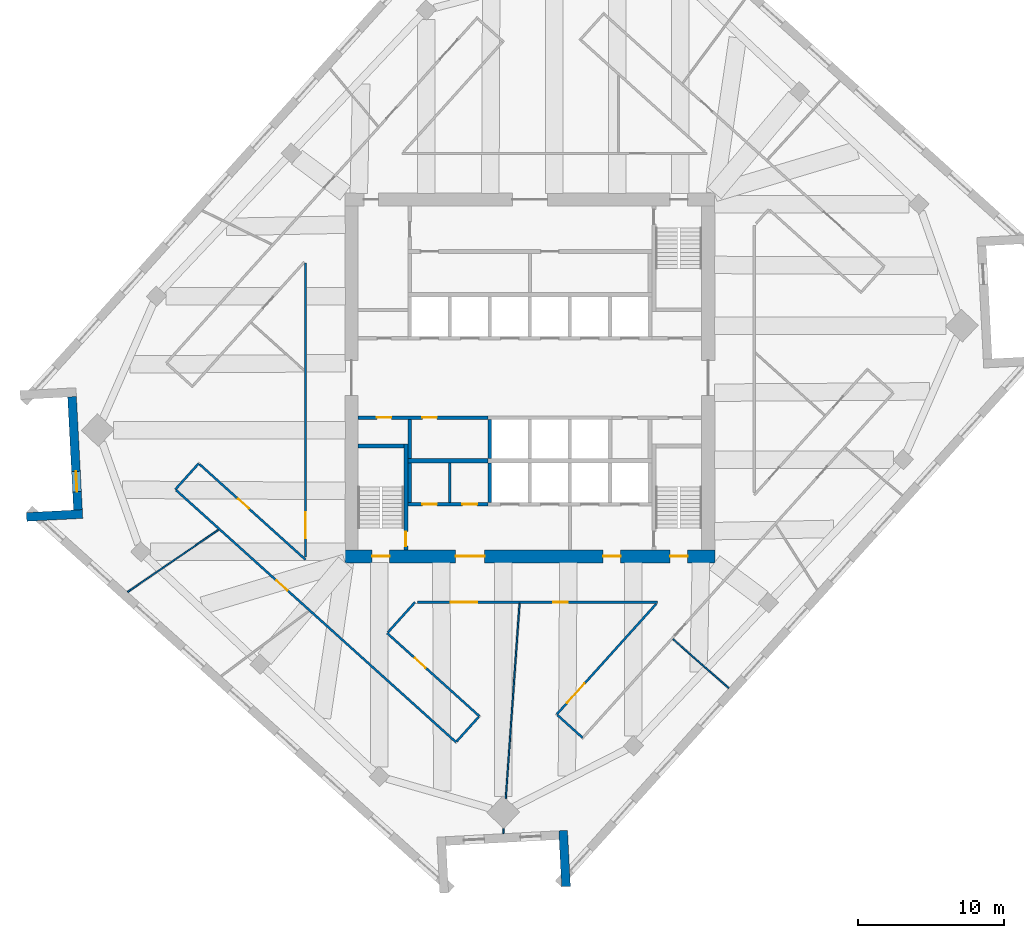
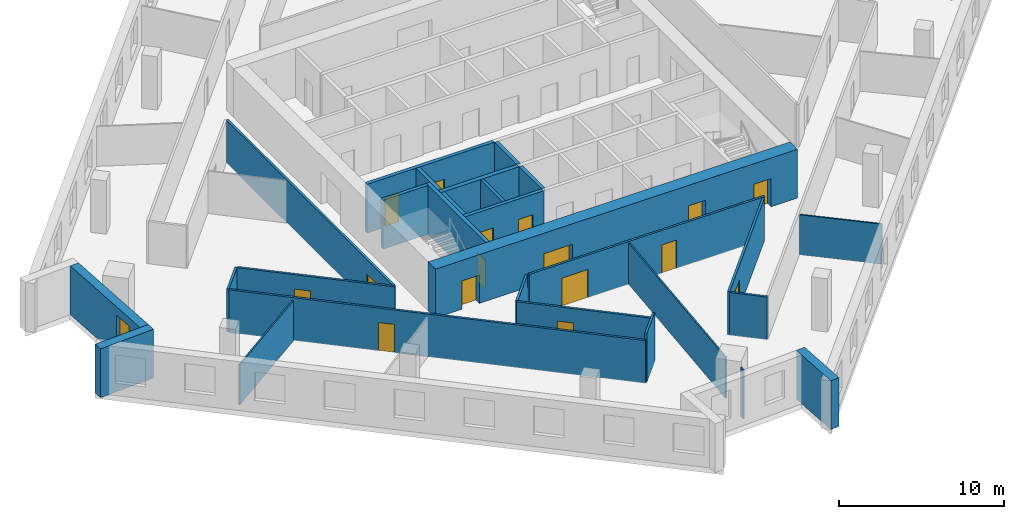
# One storey, part 6 of 12: 28 walls, 16 doors, 1 window, 17 openings.
"""IFC4 building model written with IfcOpenShell, lengths in metres."""

from ifc_helpers import new_model, si_unit, direction, frame, frame_2d, origin, place, context, subcontext, project, spatial, rectangle, extrude, material, layer, layer_set, type_object, element, fill, save


model = new_model("IFC4")

# Units and contexts
model_context = context("Model", 3, precision=1e-05, world=origin(), true_north=direction((0.0, 1.0)))
body_context = subcontext(model_context, "Body", "Model", "MODEL_VIEW")
ifc_project = project(units=[si_unit("LENGTHUNIT", "METRE"), si_unit("AREAUNIT", "SQUARE_METRE"), si_unit("VOLUMEUNIT", "CUBIC_METRE"), si_unit("PLANEANGLEUNIT", "RADIAN"), si_unit("MASSUNIT", "GRAM", prefix="KILO")], contexts=[model_context])

# Site, building, storey
site_placement = place(None, origin())
site = spatial("IfcSite", under=ifc_project, at=site_placement, CompositionType="ELEMENT")
building_placement = place(site_placement, origin())
building = spatial("IfcBuilding", under=site, at=building_placement, Name="Dilmun Exchange Tower", CompositionType="ELEMENT")
storey_placement = place(building_placement, frame((0.0, 0.0, 217.300048828125)))
storey = spatial("IfcBuildingStorey", under=building, at=storey_placement, Name="L51", CompositionType="ELEMENT", Elevation=217.300048828125)

# Wall
ifc_material_1 = material(Name="Concrete C40/50", Category="concrete")
ifc_layer_1 = layer(ifc_material_1, 0.199951171875)
ifc_layer_set_1 = layer_set([ifc_layer_1], Name="Concrete C40/50")
wall_type_1 = type_object("IfcWallType", Name="Core partition wall 200", PredefinedType="PARTITIONING", material=ifc_layer_set_1)
wall_1_placement = place(storey_placement, frame((-5.5, -8.544921875, 0.0), z_axis=(0.0, 0.0, 1.0), x_axis=(0.0, 1.0, 0.0)))
element("IfcWall", 1, at=wall_1_placement, inside=storey, type_object=wall_type_1, Name="L51 core partition wall 04", PredefinedType="PARTITIONING", context=body_context, shape_type="SweptSolid", body=[
    extrude(rectangle(XDim=2.68994140625, YDim=0.199951171875, at=frame_2d((1.344970703125, 0.0))), origin(), (0.0, 0.0, 1.0), 3.619873046875),
])

# Wall, openings, doors
ifc_layer_2 = layer(ifc_material_1, 0.25)
ifc_layer_set_2 = layer_set([ifc_layer_2], Name="Concrete C40/50")
wall_type_2 = type_object("IfcWallType", Name="Core partition wall 250", PredefinedType="PARTITIONING", material=ifc_layer_set_2)
wall_2_placement = place(storey_placement, frame((-8.3701171875, -8.675048828125, 0.0), z_axis=(0.0, 0.0, 1.0), x_axis=(1.0, 0.0, 0.0)))
wall_2 = element("IfcWall", 2, at=wall_2_placement, inside=storey, type_object=wall_type_2, Name="L51 core partition wall 02", PredefinedType="PARTITIONING", context=body_context, shape_type="SweptSolid", body=[
    extrude(rectangle(XDim=5.490234375, YDim=0.25, at=frame_2d((2.7451171875, 0.0))), origin(), (0.0, 0.0, 1.0), 3.619873046875),
])
opening_1_placement = place(wall_2_placement, frame((0.9951171875, 0.0, 0.0)))
opening_1 = element("IfcOpeningElement", 3, at=opening_1_placement, cuts=wall_2, Name="Opening CD4", PredefinedType="OPENING", context=body_context, shape_type="SweptSolid", body=[
    extrude(rectangle(XDim=1.0, YDim=2.10009765625, at=frame_2d((0.5, 1.050048828125))), frame((0.0, 0.135009765625, 0.0), z_axis=(0.0, -1.0, 0.0), x_axis=(1.0, 0.0, 0.0)), (0.0, 0.0, 1.0), 0.27001953125),
])
opening_2_placement = place(wall_2_placement, frame((3.7451171875, 0.0, 0.0)))
opening_2 = element("IfcOpeningElement", 4, at=opening_2_placement, cuts=wall_2, Name="Opening CD4", PredefinedType="OPENING", context=body_context, shape_type="SweptSolid", body=[
    extrude(rectangle(XDim=1.0, YDim=2.10009765625, at=frame_2d((0.5, 1.050048828125))), frame((0.0, 0.135009765625, 0.0), z_axis=(0.0, -1.0, 0.0), x_axis=(1.0, 0.0, 0.0)), (0.0, 0.0, 1.0), 0.27001953125),
])
ifc_material_2 = material(Name="Fire-rated steel door set", Category="steel")
door_type_1 = type_object("IfcDoorType", Name="Core room door 1000x2100", OperationType="SINGLE_SWING_LEFT", PredefinedType="DOOR", material=ifc_material_2)
door_1_placement = place(opening_1_placement, origin())
door_1 = element("IfcDoor", 5, at=door_1_placement, inside=storey, type_object=door_type_1, Name="L51 door Male WC", OperationType="SINGLE_SWING_RIGHT", OverallHeight=2.10009765625, OverallWidth=1.0, PredefinedType="DOOR", context=body_context, shape_type="SweptSolid", body=[
    extrude(rectangle(XDim=1.0, YDim=2.10009765625, at=frame_2d((0.5, 1.050048828125))), frame((0.0, 0.02490234375, 0.0), z_axis=(0.0, -1.0, 0.0), x_axis=(1.0, 0.0, 0.0)), (0.0, 0.0, 1.0), 0.050048828125),
])
fill(opening_1, door_1)
door_2_placement = place(opening_2_placement, origin())
door_2 = element("IfcDoor", 6, at=door_2_placement, inside=storey, type_object=door_type_1, Name="L51 door Female WC", OperationType="SINGLE_SWING_RIGHT", OverallHeight=2.10009765625, OverallWidth=1.0, PredefinedType="DOOR", context=body_context, shape_type="SweptSolid", body=[
    extrude(rectangle(XDim=1.0, YDim=2.10009765625, at=frame_2d((0.5, 1.050048828125))), frame((0.0, 0.02490234375, 0.0), z_axis=(0.0, -1.0, 0.0), x_axis=(1.0, 0.0, 0.0)), (0.0, 0.0, 1.0), 0.050048828125),
])
fill(opening_2, door_2)

# Walls
for number, where, z_axis, x_axis, name in (
    (7, (-8.25, -8.544921875, 0.0), (0.0, 0.0, 1.0), (0.0, 1.0, 0.0), "L51 core partition wall 03"),
    (8, (-8.25, -5.544921875, 0.0), (0.0, 0.0, 1.0), (0.0, 1.0, 0.0), "L51 core partition wall 06"),
):
    element("IfcWall", number, at=place(storey_placement, frame(where, z_axis=z_axis, x_axis=x_axis)), inside=storey, type_object=wall_type_2, Name=name, PredefinedType="PARTITIONING", context=body_context, shape_type="SweptSolid", body=[
        extrude(rectangle(XDim=2.68994140625, YDim=0.25, at=frame_2d((1.344970703125, 0.0))), origin(), (0.0, 0.0, 1.0), 3.619873046875),
    ])

# Wall, openings, doors
wall_3_placement = place(storey_placement, frame((-11.794921875, -2.72509765625, 0.0), z_axis=(0.0, 0.0, 1.0), x_axis=(1.0, 0.0, 0.0)))
wall_3 = element("IfcWall", 9, at=wall_3_placement, inside=storey, type_object=wall_type_2, Name="L51 core partition wall 08", PredefinedType="PARTITIONING", context=body_context, shape_type="SweptSolid", body=[
    extrude(rectangle(XDim=8.9150390625, YDim=0.25, at=frame_2d((4.45751953125, 0.0))), origin(), (0.0, 0.0, 1.0), 3.619873046875),
])
opening_3_placement = place(wall_3_placement, frame((1.294921875, 0.0, 0.0)))
opening_3 = element("IfcOpeningElement", 10, at=opening_3_placement, cuts=wall_3, Name="Opening CD4", PredefinedType="OPENING", context=body_context, shape_type="SweptSolid", body=[
    extrude(rectangle(XDim=1.0, YDim=2.10009765625, at=frame_2d((0.5, 1.050048828125))), frame((0.0, 0.135009765625, 0.0), z_axis=(0.0, -1.0, 0.0), x_axis=(1.0, 0.0, 0.0)), (0.0, 0.0, 1.0), 0.27001953125),
])
opening_4_placement = place(wall_3_placement, frame((4.419921875, 0.0, 0.0)))
opening_4 = element("IfcOpeningElement", 11, at=opening_4_placement, cuts=wall_3, Name="Opening CD4", PredefinedType="OPENING", context=body_context, shape_type="SweptSolid", body=[
    extrude(rectangle(XDim=1.0, YDim=2.10009765625, at=frame_2d((0.5, 1.050048828125))), frame((0.0, 0.135009765625, 0.0), z_axis=(0.0, -1.0, 0.0), x_axis=(1.0, 0.0, 0.0)), (0.0, 0.0, 1.0), 0.27001953125),
])
door_3_placement = place(opening_3_placement, origin())
door_3 = element("IfcDoor", 12, at=door_3_placement, inside=storey, type_object=door_type_1, Name="L51 door Accessible WC", OperationType="SINGLE_SWING_RIGHT", OverallHeight=2.10009765625, OverallWidth=1.0, PredefinedType="DOOR", context=body_context, shape_type="SweptSolid", body=[
    extrude(rectangle(XDim=1.0, YDim=2.10009765625, at=frame_2d((0.5, 1.050048828125))), frame((0.0, 0.02490234375, 0.0), z_axis=(0.0, -1.0, 0.0), x_axis=(1.0, 0.0, 0.0)), (0.0, 0.0, 1.0), 0.050048828125),
])
fill(opening_3, door_3)
door_4_placement = place(opening_4_placement, origin())
door_4 = element("IfcDoor", 13, at=door_4_placement, inside=storey, type_object=door_type_1, Name="L51 door Print and mail room", OperationType="SINGLE_SWING_RIGHT", OverallHeight=2.10009765625, OverallWidth=1.0, PredefinedType="DOOR", context=body_context, shape_type="SweptSolid", body=[
    extrude(rectangle(XDim=1.0, YDim=2.10009765625, at=frame_2d((0.5, 1.050048828125))), frame((0.0, 0.02490234375, 0.0), z_axis=(0.0, -1.0, 0.0), x_axis=(1.0, 0.0, 0.0)), (0.0, 0.0, 1.0), 0.050048828125),
])
fill(opening_4, door_4)

# Wall
ifc_layer_3 = layer(ifc_material_1, 0.300048828125)
ifc_layer_set_3 = layer_set([ifc_layer_3], Name="Concrete C40/50")
wall_type_3 = type_object("IfcWallType", Name="Core partition wall 300", PredefinedType="PARTITIONING", material=ifc_layer_set_3)
wall_4_placement = place(storey_placement, frame((-8.35009765625, -5.699951171875, 0.0), z_axis=(0.0, 0.0, 1.0), x_axis=(1.0, 0.0, 0.0)))
element("IfcWall", 14, at=wall_4_placement, inside=storey, type_object=wall_type_3, Name="L51 core partition wall 05", PredefinedType="PARTITIONING", context=body_context, shape_type="SweptSolid", body=[
    extrude(rectangle(XDim=5.47021484375, YDim=0.300048828125, at=frame_2d((2.735107421875, 0.0))), origin(), (0.0, 0.0, 1.0), 3.619873046875),
])

# Wall, openings, doors
ifc_material_3 = material(Name="Concrete C60/75", Category="concrete")
ifc_layer_4 = layer(ifc_material_3, 0.89990234375)
ifc_layer_set_4 = layer_set([ifc_layer_4], Name="Concrete C60/75")
wall_type_4 = type_object("IfcWallType", Name="Core shear wall 900 Concrete C60/75", PredefinedType="SHEAR", material=ifc_layer_set_4)
wall_5_placement = place(storey_placement, frame((-12.699951171875, -12.25, 0.0), z_axis=(0.0, 0.0, 1.0), x_axis=(1.0, 0.0, 0.0)))
wall_5 = element("IfcWall", 15, at=wall_5_placement, inside=storey, type_object=wall_type_4, Name="L51 core shear wall S", PredefinedType="SHEAR", context=body_context, shape_type="SweptSolid", body=[
    extrude(rectangle(XDim=25.39990234375, YDim=0.89990234375, at=frame_2d((12.699951171875, 0.0))), origin(), (0.0, 0.0, 1.0), 3.619873046875),
])
opening_5_placement = place(wall_5_placement, frame((7.60009765625, 0.0, 0.0)))
opening_5 = element("IfcOpeningElement", 16, at=opening_5_placement, cuts=wall_5, Name="Opening CD2", PredefinedType="OPENING", context=body_context, shape_type="SweptSolid", body=[
    extrude(rectangle(XDim=2.0, YDim=2.10009765625, at=frame_2d((1.0, 1.050048828125))), frame((0.0, 0.4599609375, 0.0), z_axis=(0.0, -1.0, 0.0), x_axis=(1.0, 0.0, 0.0)), (0.0, 0.0, 1.0), 0.919921875),
])
opening_6_placement = place(wall_5_placement, frame((17.72509765625, 0.0, 0.0)))
opening_6 = element("IfcOpeningElement", 17, at=opening_6_placement, cuts=wall_5, Name="Opening CD3", PredefinedType="OPENING", context=body_context, shape_type="SweptSolid", body=[
    extrude(rectangle(XDim=1.199951171875, YDim=2.10009765625, at=frame_2d((0.60009765625, 1.050048828125))), frame((0.0, 0.4599609375, 0.0), z_axis=(0.0, -1.0, 0.0), x_axis=(1.0, 0.0, 0.0)), (0.0, 0.0, 1.0), 0.919921875),
])
opening_7_placement = place(wall_5_placement, frame((1.875, 0.0, 0.0)))
opening_7 = element("IfcOpeningElement", 18, at=opening_7_placement, cuts=wall_5, Name="Opening CD3", PredefinedType="OPENING", context=body_context, shape_type="SweptSolid", body=[
    extrude(rectangle(XDim=1.199951171875, YDim=2.10009765625, at=frame_2d((0.60009765625, 1.050048828125))), frame((0.0, 0.4599609375, 0.0), z_axis=(0.0, -1.0, 0.0), x_axis=(1.0, 0.0, 0.0)), (0.0, 0.0, 1.0), 0.919921875),
])
opening_8_placement = place(wall_5_placement, frame((22.324951171875, 0.0, 0.0)))
opening_8 = element("IfcOpeningElement", 19, at=opening_8_placement, cuts=wall_5, Name="Opening CD3", PredefinedType="OPENING", context=body_context, shape_type="SweptSolid", body=[
    extrude(rectangle(XDim=1.199951171875, YDim=2.10009765625, at=frame_2d((0.60009765625, 1.050048828125))), frame((0.0, 0.4599609375, 0.0), z_axis=(0.0, -1.0, 0.0), x_axis=(1.0, 0.0, 0.0)), (0.0, 0.0, 1.0), 0.919921875),
])
door_type_2 = type_object("IfcDoorType", Name="Core service door 2000x2100", OperationType="DOUBLE_DOOR_DOUBLE_SWING", PredefinedType="DOOR", material=ifc_material_2)
door_5_placement = place(opening_5_placement, origin())
door_5 = element("IfcDoor", 20, at=door_5_placement, inside=storey, type_object=door_type_2, Name="L51 door South service lobby", OperationType="SINGLE_SWING_LEFT", OverallHeight=2.10009765625, OverallWidth=2.0, PredefinedType="DOOR", context=body_context, shape_type="SweptSolid", body=[
    extrude(rectangle(XDim=2.0, YDim=2.10009765625, at=frame_2d((1.0, 1.050048828125))), frame((0.0, 0.02490234375, 0.0), z_axis=(0.0, -1.0, 0.0), x_axis=(1.0, 0.0, 0.0)), (0.0, 0.0, 1.0), 0.050048828125),
])
fill(opening_5, door_5)
door_type_3 = type_object("IfcDoorType", Name="Stair exit door 1200x2100", OperationType="SINGLE_SWING_LEFT", PredefinedType="DOOR", material=ifc_material_2)
door_6_placement = place(opening_6_placement, origin())
door_6 = element("IfcDoor", 21, at=door_6_placement, inside=storey, type_object=door_type_3, Name="L51 door Fire-fighting lobby", OperationType="SINGLE_SWING_LEFT", OverallHeight=2.10009765625, OverallWidth=1.199951171875, PredefinedType="DOOR", context=body_context, shape_type="SweptSolid", body=[
    extrude(rectangle(XDim=1.199951171875, YDim=2.10009765625, at=frame_2d((0.60009765625, 1.050048828125))), frame((0.0, 0.02490234375, 0.0), z_axis=(0.0, -1.0, 0.0), x_axis=(1.0, 0.0, 0.0)), (0.0, 0.0, 1.0), 0.050048828125),
])
fill(opening_6, door_6)
door_7_placement = place(opening_7_placement, origin())
door_7 = element("IfcDoor", 22, at=door_7_placement, inside=storey, type_object=door_type_3, Name="L51 door Stair ST2", OperationType="SINGLE_SWING_LEFT", OverallHeight=2.10009765625, OverallWidth=1.199951171875, PredefinedType="DOOR", context=body_context, shape_type="SweptSolid", body=[
    extrude(rectangle(XDim=1.199951171875, YDim=2.10009765625, at=frame_2d((0.60009765625, 1.050048828125))), frame((0.0, 0.02490234375, 0.0), z_axis=(0.0, -1.0, 0.0), x_axis=(1.0, 0.0, 0.0)), (0.0, 0.0, 1.0), 0.050048828125),
])
fill(opening_7, door_7)
door_8_placement = place(opening_8_placement, origin())
door_8 = element("IfcDoor", 23, at=door_8_placement, inside=storey, type_object=door_type_3, Name="L51 door Stair ST3", OperationType="SINGLE_SWING_LEFT", OverallHeight=2.10009765625, OverallWidth=1.199951171875, PredefinedType="DOOR", context=body_context, shape_type="SweptSolid", body=[
    extrude(rectangle(XDim=1.199951171875, YDim=2.10009765625, at=frame_2d((0.60009765625, 1.050048828125))), frame((0.0, 0.02490234375, 0.0), z_axis=(0.0, -1.0, 0.0), x_axis=(1.0, 0.0, 0.0)), (0.0, 0.0, 1.0), 0.050048828125),
])
fill(opening_8, door_8)

# Wall
ifc_material_4 = material(Name="Corridor wall 150")
ifc_layer_5 = layer(ifc_material_4, 0.14990234375)
ifc_layer_set_5 = layer_set([ifc_layer_5], Name="Corridor wall 150")
wall_type_5 = type_object("IfcWallType", Name="Corridor wall 150", PredefinedType="PARTITIONING", material=ifc_layer_set_5)
wall_6_placement = place(storey_placement, frame((-24.341064453125, -7.657958984375, 0.0), z_axis=(0.0, 0.0, 1.0), x_axis=(0.669262598109, 0.743025958344, 0.0)))
element("IfcWall", 24, at=wall_6_placement, inside=storey, type_object=wall_type_5, Name="Corridor wall", PredefinedType="PARTITIONING", context=body_context, shape_type="SweptSolid", body=[
    extrude(rectangle(XDim=2.399658203125, YDim=0.14990234375, at=frame_2d((1.19970703125, 0.0))), origin(), (0.0, 0.0, 1.0), 3.169921875),
])

# Wall, opening, door
wall_7_placement = place(storey_placement, frame((-24.285400390625, -7.708251953125, 0.0), z_axis=(0.0, 0.0, 1.0), x_axis=(0.743144813636, -0.66913061951, 0.0)))
wall_7 = element("IfcWall", 25, at=wall_7_placement, inside=storey, type_object=wall_type_5, Name="Corridor wall", PredefinedType="PARTITIONING", context=body_context, shape_type="SweptSolid", body=[
    extrude(rectangle(XDim=25.854248046875, YDim=0.14990234375, at=frame_2d((12.92724609375, 0.0))), origin(), (0.0, 0.0, 1.0), 3.169921875),
])
opening_9_placement = place(wall_7_placement, frame((9.2900390625, 0.0, 0.0)))
opening_9 = element("IfcOpeningElement", 26, at=opening_9_placement, cuts=wall_7, Name="Opening TF51-D03", PredefinedType="OPENING", context=body_context, shape_type="SweptSolid", body=[
    extrude(rectangle(XDim=1.0, YDim=2.10009765625, at=frame_2d((0.5, 1.050048828125))), frame((0.0, 0.0849609375, 0.0), z_axis=(0.0, -1.0, 0.0), x_axis=(1.0, 0.0, 0.0)), (0.0, 0.0, 1.0), 0.169921875),
])
ifc_material_5 = material(Name="Fire door 1000 x 2100")
door_type_4 = type_object("IfcDoorType", Name="Fire door 1000 x 2100", OperationType="NOTDEFINED", PredefinedType="DOOR", material=ifc_material_5)
door_9_placement = place(opening_9_placement, frame((1.0, 0.0, 0.0), z_axis=(0.0, 0.0, 1.0), x_axis=(-1.0, 0.0, 0.0)))
door_9 = element("IfcDoor", 27, at=door_9_placement, inside=storey, type_object=door_type_4, Name="Door TF51-D03", OperationType="SINGLE_SWING_RIGHT", OverallHeight=2.10009765625, OverallWidth=1.0, PredefinedType="DOOR", context=body_context, shape_type="SweptSolid", body=[
    extrude(rectangle(XDim=1.0, YDim=2.10009765625, at=frame_2d((0.5, 1.050048828125))), frame((0.0, 0.02490234375, 0.0), z_axis=(0.0, -1.0, 0.0), x_axis=(1.0, 0.0, 0.0)), (0.0, 0.0, 1.0), 0.050048828125),
])
fill(opening_9, door_9)

wall_8_placement = place(storey_placement, frame((-22.67919921875, -5.92529296875, 0.0), z_axis=(0.0, 0.0, 1.0), x_axis=(0.743175153667, -0.669096921956, 0.0)))
wall_8 = element("IfcWall", 28, at=wall_8_placement, inside=storey, type_object=wall_type_5, Name="Corridor wall", PredefinedType="PARTITIONING", context=body_context, shape_type="SweptSolid", body=[
    extrude(rectangle(XDim=9.794921875, YDim=0.14990234375, at=frame_2d((4.8974609375, 0.0))), origin(), (0.0, 0.0, 1.0), 3.169921875),
])
opening_10_placement = place(wall_8_placement, frame((3.550048828125, 0.0, 0.0)))
opening_10 = element("IfcOpeningElement", 29, at=opening_10_placement, cuts=wall_8, Name="Opening TF51-D02", PredefinedType="OPENING", context=body_context, shape_type="SweptSolid", body=[
    extrude(rectangle(XDim=1.0, YDim=2.10009765625, at=frame_2d((0.5, 1.050048828125))), frame((0.0, 0.0849609375, 0.0), z_axis=(0.0, -1.0, 0.0), x_axis=(1.0, 0.0, 0.0)), (0.0, 0.0, 1.0), 0.169921875),
])
door_10_placement = place(opening_10_placement, origin())
door_10 = element("IfcDoor", 30, at=door_10_placement, inside=storey, type_object=door_type_4, Name="Door TF51-D02", OperationType="SINGLE_SWING_LEFT", OverallHeight=2.10009765625, OverallWidth=1.0, PredefinedType="DOOR", context=body_context, shape_type="SweptSolid", body=[
    extrude(rectangle(XDim=1.0, YDim=2.10009765625, at=frame_2d((0.5, 1.050048828125))), frame((0.0, 0.02490234375, 0.0), z_axis=(0.0, -1.0, 0.0), x_axis=(1.0, 0.0, 0.0)), (0.0, 0.0, 1.0), 0.050048828125),
])
fill(opening_10, door_10)

wall_9_placement = place(storey_placement, frame((-15.39990234375, -12.310546875, 0.0), z_axis=(0.0, 0.0, 1.0), x_axis=(0.0, 1.0, 0.0)))
wall_9 = element("IfcWall", 31, at=wall_9_placement, inside=storey, type_object=wall_type_5, Name="Corridor wall", PredefinedType="PARTITIONING", context=body_context, shape_type="SweptSolid", body=[
    extrude(rectangle(XDim=20.193603515625, YDim=0.14990234375, at=frame_2d((10.0966796875, 0.0))), origin(), (0.0, 0.0, 1.0), 3.169921875),
])
opening_11_placement = place(wall_9_placement, frame((1.300048828125, 0.0, 0.0)))
opening_11 = element("IfcOpeningElement", 32, at=opening_11_placement, cuts=wall_9, Name="Opening TF51-D01", PredefinedType="OPENING", context=body_context, shape_type="SweptSolid", body=[
    extrude(rectangle(XDim=1.800048828125, YDim=2.10009765625, at=frame_2d((0.89990234375, 1.050048828125))), frame((0.0, 0.0849609375, 0.0), z_axis=(0.0, -1.0, 0.0), x_axis=(1.0, 0.0, 0.0)), (0.0, 0.0, 1.0), 0.169921875),
])
ifc_material_6 = material(Name="Fire door pair 1800 x 2100")
door_type_5 = type_object("IfcDoorType", Name="Fire door pair 1800 x 2100", OperationType="NOTDEFINED", PredefinedType="DOOR", material=ifc_material_6)
door_11_placement = place(opening_11_placement, origin())
door_11 = element("IfcDoor", 33, at=door_11_placement, inside=storey, type_object=door_type_5, Name="Door TF51-D01", OperationType="DOUBLE_DOOR_SINGLE_SWING", OverallHeight=2.10009765625, OverallWidth=1.800048828125, PredefinedType="DOOR", context=body_context, shape_type="SweptSolid", body=[
    extrude(rectangle(XDim=1.800048828125, YDim=2.10009765625, at=frame_2d((0.89990234375, 1.050048828125))), frame((0.0, 0.02490234375, 0.0), z_axis=(0.0, -1.0, 0.0), x_axis=(1.0, 0.0, 0.0)), (0.0, 0.0, 1.0), 0.050048828125),
])
fill(opening_11, door_11)

wall_10_placement = place(storey_placement, frame((-9.7958984375, -17.52490234375, 0.0), z_axis=(0.0, 0.0, 1.0), x_axis=(0.743155880954, -0.669118327804, 0.0)))
wall_10 = element("IfcWall", 34, at=wall_10_placement, inside=storey, type_object=wall_type_5, Name="Corridor wall", PredefinedType="PARTITIONING", context=body_context, shape_type="SweptSolid", body=[
    extrude(rectangle(XDim=8.517578125, YDim=0.14990234375, at=frame_2d((4.2587890625, 0.0))), origin(), (0.0, 0.0, 1.0), 3.169921875),
])
opening_12_placement = place(wall_10_placement, frame((2.550048828125, 0.0, 0.0)))
opening_12 = element("IfcOpeningElement", 35, at=opening_12_placement, cuts=wall_10, Name="Opening TF51-D07", PredefinedType="OPENING", context=body_context, shape_type="SweptSolid", body=[
    extrude(rectangle(XDim=1.0, YDim=2.10009765625, at=frame_2d((0.5, 1.050048828125))), frame((0.0, 0.0849609375, 0.0), z_axis=(0.0, -1.0, 0.0), x_axis=(1.0, 0.0, 0.0)), (0.0, 0.0, 1.0), 0.169921875),
])
door_12_placement = place(opening_12_placement, origin())
door_12 = element("IfcDoor", 36, at=door_12_placement, inside=storey, type_object=door_type_4, Name="Door TF51-D07", OperationType="SINGLE_SWING_LEFT", OverallHeight=2.10009765625, OverallWidth=1.0, PredefinedType="DOOR", context=body_context, shape_type="SweptSolid", body=[
    extrude(rectangle(XDim=1.0, YDim=2.10009765625, at=frame_2d((0.5, 1.050048828125))), frame((0.0, 0.02490234375, 0.0), z_axis=(0.0, -1.0, 0.0), x_axis=(1.0, 0.0, 0.0)), (0.0, 0.0, 1.0), 0.050048828125),
])
fill(opening_12, door_12)

# Wall
wall_11_placement = place(storey_placement, frame((-9.745849609375, -17.46923828125, 0.0), z_axis=(0.0, 0.0, 1.0), x_axis=(0.669042240246, 0.74322438117, 0.0)))
element("IfcWall", 37, at=wall_11_placement, inside=storey, type_object=wall_type_5, Name="Corridor wall", PredefinedType="PARTITIONING", context=body_context, shape_type="SweptSolid", body=[
    extrude(rectangle(XDim=2.7841796875, YDim=0.14990234375, at=frame_2d((1.39208984375, 0.0))), origin(), (0.0, 0.0, 1.0), 3.169921875),
])

# Wall, openings, doors
wall_12_placement = place(storey_placement, frame((-7.714599609375, -15.39990234375, 0.0), z_axis=(0.0, 0.0, 1.0), x_axis=(1.0, 0.0, 0.0)))
wall_12 = element("IfcWall", 38, at=wall_12_placement, inside=storey, type_object=wall_type_5, Name="Corridor wall", PredefinedType="PARTITIONING", context=body_context, shape_type="SweptSolid", body=[
    extrude(rectangle(XDim=16.49267578125, YDim=0.14990234375, at=frame_2d((8.246337890625, 0.0))), origin(), (0.0, 0.0, 1.0), 3.169921875),
])
opening_13_placement = place(wall_12_placement, frame((2.300048828125, 0.0, 0.0)))
opening_13 = element("IfcOpeningElement", 39, at=opening_13_placement, cuts=wall_12, Name="Opening TF51-D06", PredefinedType="OPENING", context=body_context, shape_type="SweptSolid", body=[
    extrude(rectangle(XDim=1.800048828125, YDim=2.10009765625, at=frame_2d((0.89990234375, 1.050048828125))), frame((0.0, 0.0849609375, 0.0), z_axis=(0.0, -1.0, 0.0), x_axis=(1.0, 0.0, 0.0)), (0.0, 0.0, 1.0), 0.169921875),
])
opening_14_placement = place(wall_12_placement, frame((9.31103515625, 0.0, 0.0)))
opening_14 = element("IfcOpeningElement", 40, at=opening_14_placement, cuts=wall_12, Name="Opening TF51-D11", PredefinedType="OPENING", context=body_context, shape_type="SweptSolid", body=[
    extrude(rectangle(XDim=1.0, YDim=2.10009765625, at=frame_2d((0.5, 1.050048828125))), frame((0.0, 0.0849609375, 0.0), z_axis=(0.0, -1.0, 0.0), x_axis=(1.0, 0.0, 0.0)), (0.0, 0.0, 1.0), 0.169921875),
])
door_13_placement = place(opening_14_placement, frame((1.0, 0.0, 0.0), z_axis=(0.0, 0.0, 1.0), x_axis=(-1.0, 0.0, 0.0)))
door_13 = element("IfcDoor", 41, at=door_13_placement, inside=storey, type_object=door_type_4, Name="Door TF51-D11", OperationType="SINGLE_SWING_LEFT", OverallHeight=2.10009765625, OverallWidth=1.0, PredefinedType="DOOR", context=body_context, shape_type="SweptSolid", body=[
    extrude(rectangle(XDim=1.0, YDim=2.10009765625, at=frame_2d((0.5, 1.050048828125))), frame((0.0, 0.02490234375, 0.0), z_axis=(0.0, -1.0, 0.0), x_axis=(1.0, 0.0, 0.0)), (0.0, 0.0, 1.0), 0.050048828125),
])
fill(opening_14, door_13)
door_14_placement = place(opening_13_placement, frame((1.800048828125, 0.0, 0.0), z_axis=(0.0, 0.0, 1.0), x_axis=(-1.0, 0.0, 0.0)))
door_14 = element("IfcDoor", 42, at=door_14_placement, inside=storey, type_object=door_type_5, Name="Door TF51-D06", OperationType="DOUBLE_DOOR_SINGLE_SWING", OverallHeight=2.10009765625, OverallWidth=1.800048828125, PredefinedType="DOOR", context=body_context, shape_type="SweptSolid", body=[
    extrude(rectangle(XDim=1.800048828125, YDim=2.10009765625, at=frame_2d((0.89990234375, 1.050048828125))), frame((0.0, 0.02490234375, 0.0), z_axis=(0.0, -1.0, 0.0), x_axis=(1.0, 0.0, 0.0)), (0.0, 0.0, 1.0), 0.050048828125),
])
fill(opening_13, door_14)

# Wall
wall_13_placement = place(storey_placement, frame((-5.021728515625, -24.952392578125, 0.0), z_axis=(0.0, 0.0, 1.0), x_axis=(0.669030659462, 0.743234805899, 0.0)))
element("IfcWall", 43, at=wall_13_placement, inside=storey, type_object=wall_type_5, Name="Corridor wall", PredefinedType="PARTITIONING", context=body_context, shape_type="SweptSolid", body=[
    extrude(rectangle(XDim=2.25048828125, YDim=0.14990234375, at=frame_2d((1.125244140625, 0.0))), origin(), (0.0, 0.0, 1.0), 3.619873046875),
])

# Wall, opening, door
wall_14_placement = place(storey_placement, frame((1.843017578125, -23.10302734375, 0.0), z_axis=(0.0, 0.0, 1.0), x_axis=(0.669082457394, 0.743188176176, 0.0)))
wall_14 = element("IfcWall", 44, at=wall_14_placement, inside=storey, type_object=wall_type_5, Name="Corridor wall", PredefinedType="PARTITIONING", context=body_context, shape_type="SweptSolid", body=[
    extrude(rectangle(XDim=10.196533203125, YDim=0.14990234375, at=frame_2d((5.09814453125, 0.0))), origin(), (0.0, 0.0, 1.0), 3.169921875),
])
opening_15_placement = place(wall_14_placement, frame((1.050048828125, 0.0, 0.0)))
opening_15 = element("IfcOpeningElement", 45, at=opening_15_placement, cuts=wall_14, Name="Opening TF51-D10", PredefinedType="OPENING", context=body_context, shape_type="SweptSolid", body=[
    extrude(rectangle(XDim=1.800048828125, YDim=2.10009765625, at=frame_2d((0.89990234375, 1.050048828125))), frame((0.0, 0.0849609375, 0.0), z_axis=(0.0, -1.0, 0.0), x_axis=(1.0, 0.0, 0.0)), (0.0, 0.0, 1.0), 0.169921875),
])
door_15_placement = place(opening_15_placement, origin())
door_15 = element("IfcDoor", 46, at=door_15_placement, inside=storey, type_object=door_type_5, Name="Door TF51-D10", OperationType="DOUBLE_DOOR_SINGLE_SWING", OverallHeight=2.10009765625, OverallWidth=1.800048828125, PredefinedType="DOOR", context=body_context, shape_type="SweptSolid", body=[
    extrude(rectangle(XDim=1.800048828125, YDim=2.10009765625, at=frame_2d((0.89990234375, 1.050048828125))), frame((0.0, 0.02490234375, 0.0), z_axis=(0.0, -1.0, 0.0), x_axis=(1.0, 0.0, 0.0)), (0.0, 0.0, 1.0), 0.050048828125),
])
fill(opening_15, door_15)

# Walls
wall_15_placement = place(storey_placement, frame((1.898681640625, -23.1533203125, 0.0), z_axis=(0.0, 0.0, 1.0), x_axis=(0.743059097408, -0.669225804761, 0.0)))
element("IfcWall", 47, at=wall_15_placement, inside=storey, type_object=wall_type_5, Name="Corridor wall", PredefinedType="PARTITIONING", context=body_context, shape_type="SweptSolid", body=[
    extrude(rectangle(XDim=2.324462890625, YDim=0.14990234375, at=frame_2d((1.162109375, 0.0))), origin(), (0.0, 0.0, 1.0), 3.169921875),
])
ifc_layer_6 = layer(ifc_material_1, 0.25)
ifc_layer_set_6 = layer_set([ifc_layer_6], Name="Concrete C40/50")
wall_type_6 = type_object("IfcWallType", Name="Lift shaft wall 250", PredefinedType="SOLIDWALL", material=ifc_layer_set_6)
for number, where, z_axis, x_axis, name in (
    (48, (-2.75, -5.550048828125, 0.0), (0.0, 0.0, 1.0), (0.0, 1.0, 0.0), "L51 lift shaft divider S12"),
    (49, (-2.75, -8.550048828125, 0.0), (0.0, 0.0, 1.0), (0.0, 1.0, 0.0), "L51 lift shaft divider S22"),
):
    element("IfcWall", number, at=place(storey_placement, frame(where, z_axis=z_axis, x_axis=x_axis)), inside=storey, type_object=wall_type_6, Name=name, PredefinedType="SOLIDWALL", context=body_context, shape_type="SweptSolid", body=[
        extrude(rectangle(XDim=2.699951171875, YDim=0.25, at=frame_2d((1.35009765625, 0.0))), origin(), (0.0, 0.0, 1.0), 3.619873046875),
    ])
ifc_material_7 = material(Name="Partition 100")
ifc_layer_7 = layer(ifc_material_7, 0.10009765625)
ifc_layer_set_7 = layer_set([ifc_layer_7], Name="Partition 100")
wall_type_7 = type_object("IfcWallType", Name="Partition 100", PredefinedType="PARTITIONING", material=ifc_layer_set_7)
wall_16_placement = place(storey_placement, frame((-27.615234375, -14.694091796875, 0.0), z_axis=(0.0, 0.0, 1.0), x_axis=(0.825481825388, 0.564428698733, 0.0)))
element("IfcWall", 50, at=wall_16_placement, inside=storey, type_object=wall_type_7, Name="Partition", PredefinedType="PARTITIONING", context=body_context, shape_type="SweptSolid", body=[
    extrude(rectangle(XDim=7.54541015625, YDim=0.10009765625, at=frame_2d((3.772705078125, 0.0))), origin(), (0.0, 0.0, 1.0), 2.969970703125),
])
wall_17_placement = place(storey_placement, frame((-1.826171875, -31.291748046875, 0.0), z_axis=(0.0, 0.0, 1.0), x_axis=(0.070558791605, 0.997507622491, 0.0)))
element("IfcWall", 51, at=wall_17_placement, inside=storey, type_object=wall_type_7, Name="Partition", PredefinedType="PARTITIONING", context=body_context, shape_type="SweptSolid", body=[
    extrude(rectangle(XDim=0.35302734375, YDim=0.10009765625, at=frame_2d((0.176513671875, 0.0))), origin(), (0.0, 0.0, 1.0), 3.619873046875),
])
wall_18_placement = place(storey_placement, frame((-1.6552734375, -28.878662109375, 0.0), z_axis=(0.0, 0.0, 1.0), x_axis=(0.070623224113, 0.99750306276, 0.0)))
element("IfcWall", 52, at=wall_18_placement, inside=storey, type_object=wall_type_7, Name="Partition", PredefinedType="PARTITIONING", context=body_context, shape_type="SweptSolid", body=[
    extrude(rectangle(XDim=13.43359375, YDim=0.10009765625, at=frame_2d((6.716796875, 0.0))), origin(), (0.0, 0.0, 1.0), 3.050048828125),
])
wall_19_placement = place(storey_placement, frame((9.828857421875, -17.932861328125, 0.0), z_axis=(0.0, 0.0, 1.0), x_axis=(0.751096490624, -0.660192442984, 0.0)))
element("IfcWall", 53, at=wall_19_placement, inside=storey, type_object=wall_type_7, Name="Partition", PredefinedType="PARTITIONING", context=body_context, shape_type="SweptSolid", body=[
    extrude(rectangle(XDim=5.0947265625, YDim=0.10009765625, at=frame_2d((2.54736328125, 0.0))), origin(), (0.0, 0.0, 1.0), 2.969970703125),
])

# Wall, opening, window
ifc_material_8 = material(Name="Precast concrete C50/60", Category="concrete")
ifc_layer_8 = layer(ifc_material_8, 0.60009765625)
ifc_layer_set_8 = layer_set([ifc_layer_8], Name="Precast concrete C50/60")
wall_type_8 = type_object("IfcWallType", Name="Precast stone-clad wall 600", PredefinedType="STANDARD", material=ifc_layer_set_8)
wall_20_placement = place(storey_placement, frame((-31.4306640625, -1.293212890625, 0.0), z_axis=(0.0, 0.0, 1.0), x_axis=(0.052323250701, -0.998630200543, 0.0)))
wall_20 = element("IfcWall", 54, at=wall_20_placement, inside=storey, type_object=wall_type_8, Name="Facade wall L51-05", PredefinedType="STANDARD", context=body_context, shape_type="SweptSolid", body=[
    extrude(rectangle(XDim=7.7783203125, YDim=0.60009765625, at=frame_2d((3.88916015625, 0.0))), origin(), (0.0, 0.0, 1.0), 3.619873046875),
])
opening_16_placement = place(wall_20_placement, frame((5.133544921875, 0.0, 0.89990234375)))
opening_16 = element("IfcOpeningElement", 55, at=opening_16_placement, cuts=wall_20, Name="Opening W140-210", PredefinedType="OPENING", context=body_context, shape_type="SweptSolid", body=[
    extrude(rectangle(XDim=1.39990234375, YDim=2.10009765625, at=frame_2d((0.699951171875, 1.050048828125))), frame((0.0, 0.31005859375, 0.0), z_axis=(0.0, -1.0, 0.0), x_axis=(1.0, 0.0, 0.0)), (0.0, 0.0, 1.0), 0.6201171875),
])
ifc_material_9 = material(Name="Clear low-emissivity glass in aluminium frame", Category="aluminium")
window_type = type_object("IfcWindowType", Name="Punched window 1400 x 2100", PartitioningType="DOUBLE_PANEL_VERTICAL", PredefinedType="WINDOW", material=ifc_material_9)
window_placement = place(opening_16_placement, origin())
window = element("IfcWindow", 56, at=window_placement, inside=storey, type_object=window_type, Name="Window 6.2", OverallHeight=2.10009765625, OverallWidth=1.39990234375, PartitioningType="SINGLE_PANEL", PredefinedType="WINDOW", context=body_context, shape_type="SweptSolid", body=[
    extrude(rectangle(XDim=1.39990234375, YDim=2.10009765625, at=frame_2d((0.699951171875, 1.050048828125))), frame((0.0, 0.030029296875, 0.0), z_axis=(0.0, -1.0, 0.0), x_axis=(1.0, 0.0, 0.0)), (0.0, 0.0, 1.0), 0.06005859375),
])
fill(opening_16, window)

# Walls
wall_21_placement = place(storey_placement, frame((-30.70849609375, -9.344482421875, 0.0), z_axis=(0.0, 0.0, 1.0), x_axis=(-0.99862798042, -0.052365606295, 0.0)))
element("IfcWall", 57, at=wall_21_placement, inside=storey, type_object=wall_type_8, Name="Facade wall L51-06", PredefinedType="STANDARD", context=body_context, shape_type="SweptSolid", body=[
    extrude(rectangle(XDim=3.846435546875, YDim=0.60009765625, at=frame_2d((1.92333984375, 0.0))), origin(), (0.0, 0.0, 1.0), 3.619873046875),
])
wall_22_placement = place(storey_placement, frame((2.283203125, -31.078369140625, 0.0), z_axis=(0.0, 0.0, 1.0), x_axis=(0.05236228724, -0.998628154457, 0.0)))
element("IfcWall", 58, at=wall_22_placement, inside=storey, type_object=wall_type_8, Name="Facade wall L51-10", PredefinedType="STANDARD", context=body_context, shape_type="SweptSolid", body=[
    extrude(rectangle(XDim=3.8466796875, YDim=0.60009765625, at=frame_2d((1.92333984375, 0.0))), origin(), (0.0, 0.0, 1.0), 3.619873046875),
])
ifc_layer_9 = layer(ifc_material_1, 0.25)
ifc_layer_set_9 = layer_set([ifc_layer_9], Name="Concrete C40/50")
wall_type_9 = type_object("IfcWallType", Name="Stair end wall 250", PredefinedType="SOLIDWALL", material=ifc_layer_set_9)
wall_23_placement = place(storey_placement, frame((-8.64990234375, -4.675048828125, 0.0), z_axis=(0.0, 0.0, 1.0), x_axis=(-1.0, 0.0, 0.0)))
element("IfcWall", 59, at=wall_23_placement, inside=storey, type_object=wall_type_9, Name="L51 ST2 far wall", PredefinedType="SOLIDWALL", context=body_context, shape_type="SweptSolid", body=[
    extrude(rectangle(XDim=3.150146484375, YDim=0.25, at=frame_2d((1.5751953125, 0.0))), origin(), (0.0, 0.0, 1.0), 3.619873046875),
])

# Wall, opening, door
ifc_layer_10 = layer(ifc_material_1, 0.27490234375)
ifc_layer_set_10 = layer_set([ifc_layer_10], Name="Concrete C40/50")
wall_type_10 = type_object("IfcWallType", Name="Stair wall 275", PredefinedType="SOLIDWALL", material=ifc_layer_set_10)
wall_24_placement = place(storey_placement, frame((-8.512451171875, -4.550048828125, 0.0), z_axis=(0.0, 0.0, 1.0), x_axis=(0.0, -1.0, 0.0)))
wall_24 = element("IfcWall", 60, at=wall_24_placement, inside=storey, type_object=wall_type_10, Name="L51 ST2 wall to lift block", PredefinedType="SOLIDWALL", context=body_context, shape_type="SweptSolid", body=[
    extrude(rectangle(XDim=7.25, YDim=0.27490234375, at=frame_2d((3.625, 0.0))), origin(), (0.0, 0.0, 1.0), 3.619873046875),
])
opening_17_placement = place(wall_24_placement, frame((6.0, 0.0, 0.0)))
opening_17 = element("IfcOpeningElement", 61, at=opening_17_placement, cuts=wall_24, Name="Opening CD4", PredefinedType="OPENING", context=body_context, shape_type="SweptSolid", body=[
    extrude(rectangle(XDim=1.0, YDim=2.10009765625, at=frame_2d((0.5, 1.050048828125))), frame((0.0, 0.1474609375, 0.0), z_axis=(0.0, -1.0, 0.0), x_axis=(1.0, 0.0, 0.0)), (0.0, 0.0, 1.0), 0.294921875),
])
door_16_placement = place(opening_17_placement, origin())
door_16 = element("IfcDoor", 62, at=door_16_placement, inside=storey, type_object=door_type_1, Name="L51 door ST2 from lobby", OperationType="SINGLE_SWING_LEFT", OverallHeight=2.10009765625, OverallWidth=1.0, PredefinedType="DOOR", context=body_context, shape_type="SweptSolid", body=[
    extrude(rectangle(XDim=1.0, YDim=2.10009765625, at=frame_2d((0.5, 1.050048828125))), frame((0.0, 0.02490234375, 0.0), z_axis=(0.0, -1.0, 0.0), x_axis=(1.0, 0.0, 0.0)), (0.0, 0.0, 1.0), 0.050048828125),
])
fill(opening_17, door_16)

save(model, "model.ifc")
